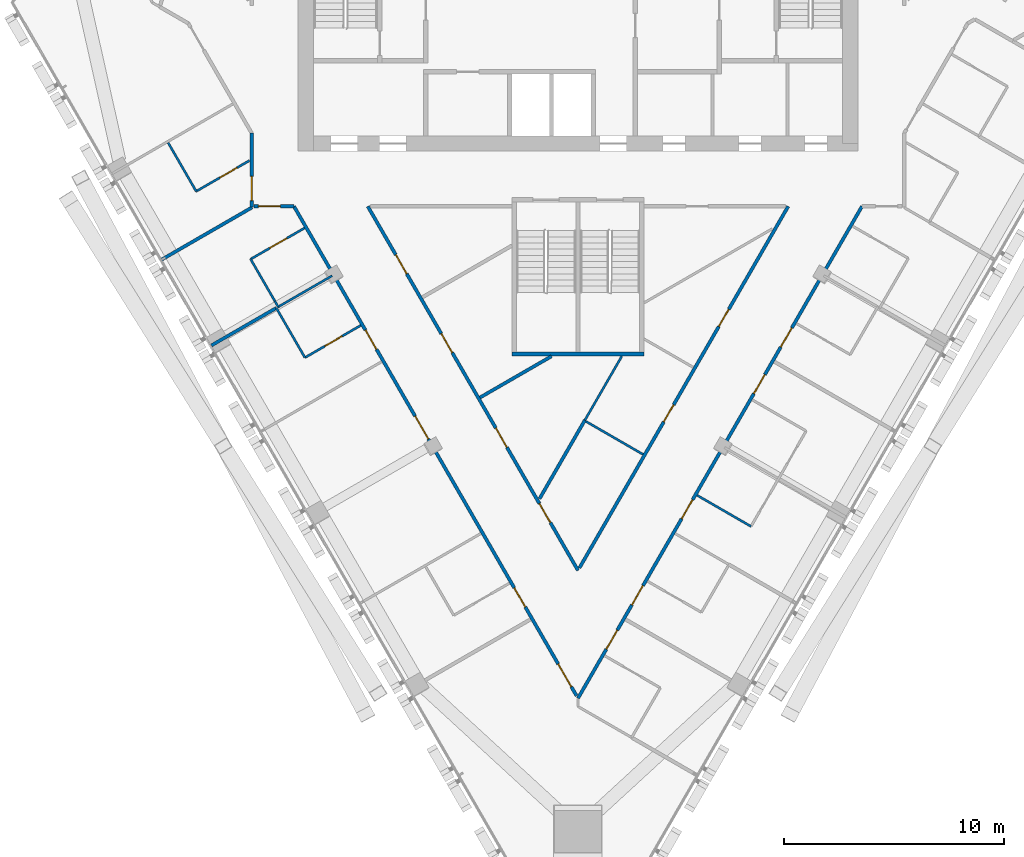
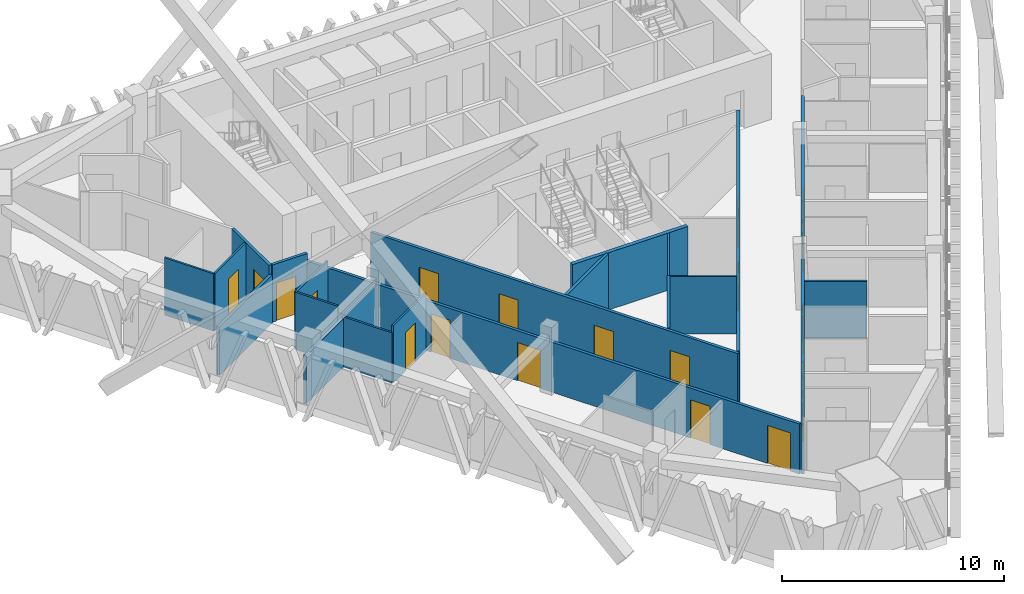
# One storey, part 10 of 17: 22 walls, 20 doors, 20 openings.
"""IFC4 building model written with IfcOpenShell, lengths in metres."""

from ifc_helpers import new_model, si_unit, direction, frame, frame_2d, origin, place, context, subcontext, project, spatial, rectangle, extrude, material, layer, layer_set, type_object, element, fill, save


model = new_model("IFC4")

# Units and contexts
model_context = context("Model", 3, precision=1e-05, world=origin(), true_north=direction((0.0, 1.0)))
body_context = subcontext(model_context, "Body", "Model", "MODEL_VIEW")
ifc_project = project(units=[si_unit("LENGTHUNIT", "METRE"), si_unit("AREAUNIT", "SQUARE_METRE"), si_unit("VOLUMEUNIT", "CUBIC_METRE"), si_unit("PLANEANGLEUNIT", "RADIAN"), si_unit("MASSUNIT", "GRAM", prefix="KILO")], contexts=[model_context])

# Site, building, storey
site_placement = place(None, origin())
site = spatial("IfcSite", under=ifc_project, at=site_placement, CompositionType="ELEMENT")
building_placement = place(site_placement, origin())
building = spatial("IfcBuilding", under=site, at=building_placement, Name="Altiplano Prism Tower", CompositionType="ELEMENT")
storey_placement = place(building_placement, frame((0.0, 0.0, 194.39990234375)))
storey = spatial("IfcBuildingStorey", under=building, at=storey_placement, Name="L50", CompositionType="ELEMENT", Elevation=194.39990234375)

# Wall, opening, door
ifc_material_1 = material(Name="Plasterboard on steel stud", Category="steel")
ifc_layer_1 = layer(ifc_material_1, 0.10009765625)
ifc_layer_set_1 = layer_set([ifc_layer_1], Name="Plasterboard on steel stud")
wall_type_1 = type_object("IfcWallType", Name="Partition 100 unit", PredefinedType="PARTITIONING", material=ifc_layer_set_1)
wall_1_placement = place(storey_placement, frame((70.10009765625, 92.278564453125, 0.0), z_axis=(0.0, 0.0, 1.0), x_axis=(-0.866040030748, -0.499974664501, 0.0)))
wall_1 = element("IfcWall", 1, at=wall_1_placement, inside=storey, type_object=wall_type_1, Name="Partition P02 L50 040", PredefinedType="PARTITIONING", context=body_context, shape_type="SweptSolid", body=[
    extrude(rectangle(XDim=2.793212890625, YDim=0.10009765625, at=frame_2d((1.396484375, 0.0))), origin(), (0.0, 0.0, 1.0), 3.150146484375),
])
opening_1_placement = place(wall_1_placement, frame((0.64697265625, 0.0, 0.0)))
opening_1 = element("IfcOpeningElement", 2, at=opening_1_placement, cuts=wall_1, Name="Opening D1743", PredefinedType="OPENING", context=body_context, shape_type="SweptSolid", body=[
    extrude(rectangle(XDim=0.89990234375, YDim=2.10009765625, at=frame_2d((0.449951171875, 1.050048828125))), frame((0.0, 0.060546875, 0.0), z_axis=(0.0, -1.0, 0.0), x_axis=(1.0, 0.0, 0.0)), (0.0, 0.0, 1.0), 0.12109375),
])
ifc_material_2 = material(Name="Timber", Category="wood")
door_type_1 = type_object("IfcDoorType", Name="Accessible ensuite door 900 x 2100", OperationType="NOTDEFINED", PredefinedType="NOTDEFINED", material=ifc_material_2)
door_1_placement = place(opening_1_placement, origin())
door_1 = element("IfcDoor", 3, at=door_1_placement, inside=storey, type_object=door_type_1, Name="Door D1743", OperationType="SINGLE_SWING_RIGHT", OverallHeight=2.10009765625, OverallWidth=0.89990234375, PredefinedType="NOTDEFINED", context=body_context, shape_type="SweptSolid", body=[
    extrude(rectangle(XDim=0.89990234375, YDim=2.10009765625, at=frame_2d((0.449951171875, 1.050048828125))), frame((0.0, 0.02490234375, 0.0), z_axis=(0.0, -1.0, 0.0), x_axis=(1.0, 0.0, 0.0)), (0.0, 0.0, 1.0), 0.050048828125),
])
fill(opening_1, door_1)

# Walls
wall_2_placement = place(storey_placement, frame((67.68115234375, 90.882080078125, 0.0), z_axis=(0.0, 0.0, 1.0), x_axis=(-0.500062241894, 0.865989465428, 0.0)))
element("IfcWall", 4, at=wall_2_placement, inside=storey, type_object=wall_type_1, Name="Partition P02 L50 041", PredefinedType="PARTITIONING", context=body_context, shape_type="SweptSolid", body=[
    extrude(rectangle(XDim=2.550048828125, YDim=0.10009765625, at=frame_2d((1.27490234375, 0.0))), origin(), (0.0, 0.0, 1.0), 3.150146484375),
])
wall_3_placement = place(storey_placement, frame((71.400634765625, 85.639404296875, 0.0), z_axis=(0.0, 0.0, 1.0), x_axis=(-0.499464218792, 0.866334516308, 0.0)))
element("IfcWall", 5, at=wall_3_placement, inside=storey, type_object=wall_type_1, Name="Partition P02 L50 043", PredefinedType="PARTITIONING", context=body_context, shape_type="SweptSolid", body=[
    extrude(rectangle(XDim=0.300048828125, YDim=0.10009765625, at=frame_2d((0.14990234375, 0.0))), origin(), (0.0, 0.0, 1.0), 2.75),
])
wall_4_placement = place(storey_placement, frame((71.250732421875, 85.8994140625, 0.0), z_axis=(0.0, 0.0, 1.0), x_axis=(-0.50002983664, 0.866008176907, 0.0)))
element("IfcWall", 6, at=wall_4_placement, inside=storey, type_object=wall_type_1, Name="Partition P02 L50 044", PredefinedType="PARTITIONING", context=body_context, shape_type="SweptSolid", body=[
    extrude(rectangle(XDim=2.199951171875, YDim=0.10009765625, at=frame_2d((1.10009765625, 0.0))), origin(), (0.0, 0.0, 1.0), 3.150146484375),
])

# Wall, opening, door
wall_5_placement = place(storey_placement, frame((70.150634765625, 87.8046875, 0.0), z_axis=(0.0, 0.0, 1.0), x_axis=(0.866048868473, 0.499959355765, 0.0)))
wall_5 = element("IfcWall", 7, at=wall_5_placement, inside=storey, type_object=wall_type_1, Name="Partition P02 L50 045", PredefinedType="PARTITIONING", context=body_context, shape_type="SweptSolid", body=[
    extrude(rectangle(XDim=2.824951171875, YDim=0.10009765625, at=frame_2d((1.41259765625, 0.0))), origin(), (0.0, 0.0, 1.0), 3.150146484375),
])
opening_2_placement = place(wall_5_placement, frame((1.0, 0.0, 0.0)))
opening_2 = element("IfcOpeningElement", 8, at=opening_2_placement, cuts=wall_5, Name="Opening D1745", PredefinedType="OPENING", context=body_context, shape_type="SweptSolid", body=[
    extrude(rectangle(XDim=0.89990234375, YDim=2.10009765625, at=frame_2d((0.449951171875, 1.050048828125))), frame((0.0, 0.060546875, 0.0), z_axis=(0.0, -1.0, 0.0), x_axis=(1.0, 0.0, 0.0)), (0.0, 0.0, 1.0), 0.12109375),
])
door_type_2 = type_object("IfcDoorType", Name="Ensuite door 900 x 2100", OperationType="NOTDEFINED", PredefinedType="NOTDEFINED", material=ifc_material_2)
door_2_placement = place(opening_2_placement, origin())
door_2 = element("IfcDoor", 9, at=door_2_placement, inside=storey, type_object=door_type_2, Name="Door D1745", OperationType="SINGLE_SWING_RIGHT", OverallHeight=2.10009765625, OverallWidth=0.89990234375, PredefinedType="NOTDEFINED", context=body_context, shape_type="SweptSolid", body=[
    extrude(rectangle(XDim=0.89990234375, YDim=2.10009765625, at=frame_2d((0.449951171875, 1.050048828125))), frame((0.0, 0.02490234375, 0.0), z_axis=(0.0, -1.0, 0.0), x_axis=(1.0, 0.0, 0.0)), (0.0, 0.0, 1.0), 0.050048828125),
])
fill(opening_2, door_2)

wall_6_placement = place(storey_placement, frame((75.147216796875, 84.80029296875, 0.0), z_axis=(0.0, 0.0, 1.0), x_axis=(-0.866046596414, -0.499963291492, 0.0)))
wall_6 = element("IfcWall", 10, at=wall_6_placement, inside=storey, type_object=wall_type_1, Name="Partition P02 L50 048", PredefinedType="PARTITIONING", context=body_context, shape_type="SweptSolid", body=[
    extrude(rectangle(XDim=2.925048828125, YDim=0.10009765625, at=frame_2d((1.46240234375, 0.0))), origin(), (0.0, 0.0, 1.0), 3.150146484375),
])
opening_3_placement = place(wall_6_placement, frame((0.97509765625, 0.0, 0.0)))
opening_3 = element("IfcOpeningElement", 11, at=opening_3_placement, cuts=wall_6, Name="Opening D1747", PredefinedType="OPENING", context=body_context, shape_type="SweptSolid", body=[
    extrude(rectangle(XDim=0.89990234375, YDim=2.10009765625, at=frame_2d((0.449951171875, 1.050048828125))), frame((0.0, 0.060546875, 0.0), z_axis=(0.0, -1.0, 0.0), x_axis=(1.0, 0.0, 0.0)), (0.0, 0.0, 1.0), 0.12109375),
])
door_3_placement = place(opening_3_placement, origin())
door_3 = element("IfcDoor", 12, at=door_3_placement, inside=storey, type_object=door_type_2, Name="Door D1747", OperationType="SINGLE_SWING_LEFT", OverallHeight=2.10009765625, OverallWidth=0.89990234375, PredefinedType="NOTDEFINED", context=body_context, shape_type="SweptSolid", body=[
    extrude(rectangle(XDim=0.89990234375, YDim=2.10009765625, at=frame_2d((0.449951171875, 1.050048828125))), frame((0.0, 0.02490234375, 0.0), z_axis=(0.0, -1.0, 0.0), x_axis=(1.0, 0.0, 0.0)), (0.0, 0.0, 1.0), 0.050048828125),
])
fill(opening_3, door_3)

# Walls
wall_7_placement = place(storey_placement, frame((72.614013671875, 83.337890625, 0.0), z_axis=(0.0, 0.0, 1.0), x_axis=(-0.500006934395, 0.866021400173, 0.0)))
element("IfcWall", 13, at=wall_7_placement, inside=storey, type_object=wall_type_1, Name="Partition P02 L50 049", PredefinedType="PARTITIONING", context=body_context, shape_type="SweptSolid", body=[
    extrude(rectangle(XDim=2.60009765625, YDim=0.10009765625, at=frame_2d((1.300048828125, 0.0))), origin(), (0.0, 0.0, 1.0), 2.75),
])
wall_8_placement = place(storey_placement, frame((92.849365234375, 75.68017578125, 0.0), z_axis=(0.0, 0.0, 1.0), x_axis=(-0.866011447264, 0.500024172624, 0.0)))
element("IfcWall", 14, at=wall_8_placement, inside=storey, type_object=wall_type_1, Name="Partition P02 L50 065", PredefinedType="PARTITIONING", context=body_context, shape_type="SweptSolid", body=[
    extrude(rectangle(XDim=2.824951171875, YDim=0.10009765625, at=frame_2d((1.41259765625, 0.0))), origin(), (0.0, 0.0, 1.0), 3.150146484375),
])
ifc_layer_2 = layer(ifc_material_1, 0.10009765625)
ifc_layer_set_2 = layer_set([ifc_layer_2], Name="Plasterboard on steel stud")
wall_type_2 = type_object("IfcWallType", Name="Partition 100 wet", PredefinedType="PARTITIONING", material=ifc_layer_set_2)
wall_9_placement = place(storey_placement, frame((85.365234375, 80.440673828125, 0.0), z_axis=(0.0, 0.0, 1.0), x_axis=(0.866005890814, -0.500033795933, 0.0)))
element("IfcWall", 15, at=wall_9_placement, inside=storey, type_object=wall_type_2, Name="Partition P03 L50 033", PredefinedType="PARTITIONING", context=body_context, shape_type="SweptSolid", body=[
    extrude(rectangle(XDim=2.986572265625, YDim=0.10009765625, at=frame_2d((1.4931640625, 0.0))), origin(), (0.0, 0.0, 1.0), 3.150146484375),
])
wall_10_placement = place(storey_placement, frame((86.9873046875, 83.39990234375, 0.0), z_axis=(0.0, 0.0, 1.0), x_axis=(-0.500014404596, -0.866017087127, 0.0)))
element("IfcWall", 16, at=wall_10_placement, inside=storey, type_object=wall_type_2, Name="Partition P03 L50 034", PredefinedType="PARTITIONING", context=body_context, shape_type="SweptSolid", body=[
    extrude(rectangle(XDim=3.35400390625, YDim=0.10009765625, at=frame_2d((1.677001953125, 0.0))), origin(), (0.0, 0.0, 1.0), 3.150146484375),
])
wall_11_placement = place(storey_placement, frame((71.38330078125, 85.62939453125, 0.0), z_axis=(0.0, 0.0, 1.0), x_axis=(0.866011243319, 0.500024525844, 0.0)))
element("IfcWall", 17, at=wall_11_placement, inside=storey, type_object=wall_type_2, Name="Partition P03 L50 047", PredefinedType="PARTITIONING", context=body_context, shape_type="SweptSolid", body=[
    extrude(rectangle(XDim=2.844970703125, YDim=0.10009765625, at=frame_2d((1.42236328125, 0.0))), origin(), (0.0, 0.0, 1.0), 2.75),
])

# Wall, openings, doors
ifc_layer_3 = layer(ifc_material_1, 0.14990234375)
ifc_layer_set_3 = layer_set([ifc_layer_3], Name="Plasterboard on steel stud")
wall_type_3 = type_object("IfcWallType", Name="Partition 150 corridor", PredefinedType="PARTITIONING", material=ifc_layer_set_3)
wall_12_placement = place(storey_placement, frame((94.53515625, 90.199951171875, 0.0), z_axis=(0.0, 0.0, 1.0), x_axis=(-0.500006981563, -0.86602137294, 0.0)))
wall_12 = element("IfcWall", 18, at=wall_12_placement, inside=storey, type_object=wall_type_3, Name="Partition P06 L50 001", PredefinedType="PARTITIONING", context=body_context, shape_type="SweptSolid", body=[
    extrude(rectangle(XDim=18.940185546875, YDim=0.14990234375, at=frame_2d((9.47021484375, 0.0))), origin(), (0.0, 0.0, 1.0), 3.150146484375),
])
opening_4_placement = place(wall_12_placement, frame((10.39599609375, 0.0, 0.0)))
opening_4 = element("IfcOpeningElement", 19, at=opening_4_placement, cuts=wall_12, Name="Opening D1737", PredefinedType="OPENING", context=body_context, shape_type="SweptSolid", body=[
    extrude(rectangle(XDim=0.89990234375, YDim=2.10009765625, at=frame_2d((0.449951171875, 1.050048828125))), frame((0.0, 0.08544921875, 0.0), z_axis=(0.0, -1.0, 0.0), x_axis=(1.0, 0.0, 0.0)), (0.0, 0.0, 1.0), 0.1708984375),
])
opening_5_placement = place(wall_12_placement, frame((5.39306640625, 0.0, 0.0)))
opening_5 = element("IfcOpeningElement", 20, at=opening_5_placement, cuts=wall_12, Name="Opening D1738", PredefinedType="OPENING", context=body_context, shape_type="SweptSolid", body=[
    extrude(rectangle(XDim=0.89990234375, YDim=2.10009765625, at=frame_2d((0.449951171875, 1.050048828125))), frame((0.0, 0.08544921875, 0.0), z_axis=(0.0, -1.0, 0.0), x_axis=(1.0, 0.0, 0.0)), (0.0, 0.0, 1.0), 0.1708984375),
])
door_type_3 = type_object("IfcDoorType", Name="Toilet door 900 x 2100", OperationType="NOTDEFINED", PredefinedType="NOTDEFINED", material=ifc_material_2)
door_4_placement = place(opening_4_placement, origin())
door_4 = element("IfcDoor", 21, at=door_4_placement, inside=storey, type_object=door_type_3, Name="Door D1737", OperationType="SINGLE_SWING_RIGHT", OverallHeight=2.10009765625, OverallWidth=0.89990234375, PredefinedType="NOTDEFINED", context=body_context, shape_type="SweptSolid", body=[
    extrude(rectangle(XDim=0.89990234375, YDim=2.10009765625, at=frame_2d((0.449951171875, 1.050048828125))), frame((0.0, 0.02490234375, 0.0), z_axis=(0.0, -1.0, 0.0), x_axis=(1.0, 0.0, 0.0)), (0.0, 0.0, 1.0), 0.050048828125),
])
fill(opening_4, door_4)
door_5_placement = place(opening_5_placement, origin())
door_5 = element("IfcDoor", 22, at=door_5_placement, inside=storey, type_object=door_type_3, Name="Door D1738", OperationType="SINGLE_SWING_RIGHT", OverallHeight=2.10009765625, OverallWidth=0.89990234375, PredefinedType="NOTDEFINED", context=body_context, shape_type="SweptSolid", body=[
    extrude(rectangle(XDim=0.89990234375, YDim=2.10009765625, at=frame_2d((0.449951171875, 1.050048828125))), frame((0.0, 0.02490234375, 0.0), z_axis=(0.0, -1.0, 0.0), x_axis=(1.0, 0.0, 0.0)), (0.0, 0.0, 1.0), 0.050048828125),
])
fill(opening_5, door_5)

# Wall, opening, door
wall_13_placement = place(storey_placement, frame((70.199951171875, 93.51904296875, 0.0), z_axis=(0.0, 0.0, 1.0), x_axis=(0.0, -1.0, 0.0)))
wall_13 = element("IfcWall", 23, at=wall_13_placement, inside=storey, type_object=wall_type_3, Name="Partition P06 L50 005", PredefinedType="PARTITIONING", context=body_context, shape_type="SweptSolid", body=[
    extrude(rectangle(XDim=3.339111328125, YDim=0.14990234375, at=frame_2d((1.66943359375, 0.0))), origin(), (0.0, 0.0, 1.0), 3.150146484375),
])
opening_6_placement = place(wall_13_placement, frame((1.9619140625, 0.0, 0.0)))
opening_6 = element("IfcOpeningElement", 24, at=opening_6_placement, cuts=wall_13, Name="Opening D1742", PredefinedType="OPENING", context=body_context, shape_type="SweptSolid", body=[
    extrude(rectangle(XDim=1.10009765625, YDim=2.10009765625, at=frame_2d((0.550048828125, 1.050048828125))), frame((0.0, 0.08544921875, 0.0), z_axis=(0.0, -1.0, 0.0), x_axis=(1.0, 0.0, 0.0)), (0.0, 0.0, 1.0), 0.1708984375),
])
door_type_4 = type_object("IfcDoorType", Name="Accessible bedroom door 1100 x 2100", OperationType="NOTDEFINED", PredefinedType="NOTDEFINED", material=ifc_material_2)
door_6_placement = place(opening_6_placement, origin())
door_6 = element("IfcDoor", 25, at=door_6_placement, inside=storey, type_object=door_type_4, Name="Door D1742", OperationType="SINGLE_SWING_RIGHT", OverallHeight=2.10009765625, OverallWidth=1.10009765625, PredefinedType="NOTDEFINED", context=body_context, shape_type="SweptSolid", body=[
    extrude(rectangle(XDim=1.10009765625, YDim=2.10009765625, at=frame_2d((0.550048828125, 1.050048828125))), frame((0.0, 0.02490234375, 0.0), z_axis=(0.0, -1.0, 0.0), x_axis=(1.0, 0.0, 0.0)), (0.0, 0.0, 1.0), 0.050048828125),
])
fill(opening_6, door_6)

wall_14_placement = place(storey_placement, frame((70.299560546875, 90.199951171875, 0.0), z_axis=(0.0, 0.0, 1.0), x_axis=(1.0, 0.0, 0.0)))
wall_14 = element("IfcWall", 26, at=wall_14_placement, inside=storey, type_object=wall_type_3, Name="Partition P06 L50 006", PredefinedType="PARTITIONING", context=body_context, shape_type="SweptSolid", body=[
    extrude(rectangle(XDim=1.816650390625, YDim=0.14990234375, at=frame_2d((0.908203125, 0.0))), origin(), (0.0, 0.0, 1.0), 3.150146484375),
])
opening_7_placement = place(wall_14_placement, frame((0.199951171875, 0.0, 0.0)))
opening_7 = element("IfcOpeningElement", 27, at=opening_7_placement, cuts=wall_14, Name="Opening D1744", PredefinedType="OPENING", context=body_context, shape_type="SweptSolid", body=[
    extrude(rectangle(XDim=1.0, YDim=2.10009765625, at=frame_2d((0.5, 1.050048828125))), frame((0.0, 0.08544921875, 0.0), z_axis=(0.0, -1.0, 0.0), x_axis=(1.0, 0.0, 0.0)), (0.0, 0.0, 1.0), 0.1708984375),
])
door_type_5 = type_object("IfcDoorType", Name="Bedroom entrance door 1000 x 2100", OperationType="NOTDEFINED", PredefinedType="NOTDEFINED", material=ifc_material_2)
door_7_placement = place(opening_7_placement, origin())
door_7 = element("IfcDoor", 28, at=door_7_placement, inside=storey, type_object=door_type_5, Name="Door D1744", OperationType="SINGLE_SWING_LEFT", OverallHeight=2.10009765625, OverallWidth=1.0, PredefinedType="NOTDEFINED", context=body_context, shape_type="SweptSolid", body=[
    extrude(rectangle(XDim=1.0, YDim=2.10009765625, at=frame_2d((0.5, 1.050048828125))), frame((0.0, 0.02490234375, 0.0), z_axis=(0.0, -1.0, 0.0), x_axis=(1.0, 0.0, 0.0)), (0.0, 0.0, 1.0), 0.050048828125),
])
fill(opening_7, door_7)

# Wall, openings, doors
wall_15_placement = place(storey_placement, frame((72.1162109375, 90.199951171875, 0.0), z_axis=(0.0, 0.0, 1.0), x_axis=(0.500004369671, -0.866022880939, 0.0)))
wall_15 = element("IfcWall", 29, at=wall_15_placement, inside=storey, type_object=wall_type_3, Name="Partition P06 L50 007", PredefinedType="PARTITIONING", context=body_context, shape_type="SweptSolid", body=[
    extrude(rectangle(XDim=25.637451171875, YDim=0.14990234375, at=frame_2d((12.81884765625, 0.0))), origin(), (0.0, 0.0, 1.0), 2.75),
])
opening_8_placement = place(wall_15_placement, frame((6.487060546875, 0.0, 0.0)))
opening_8 = element("IfcOpeningElement", 30, at=opening_8_placement, cuts=wall_15, Name="Opening D1746", PredefinedType="OPENING", context=body_context, shape_type="SweptSolid", body=[
    extrude(rectangle(XDim=1.0, YDim=2.10009765625, at=frame_2d((0.5, 1.050048828125))), frame((0.0, 0.08544921875, 0.0), z_axis=(0.0, -1.0, 0.0), x_axis=(1.0, 0.0, 0.0)), (0.0, 0.0, 1.0), 0.1708984375),
])
opening_9_placement = place(wall_15_placement, frame((10.991943359375, 0.0, 0.0)))
opening_9 = element("IfcOpeningElement", 31, at=opening_9_placement, cuts=wall_15, Name="Opening D1748", PredefinedType="OPENING", context=body_context, shape_type="SweptSolid", body=[
    extrude(rectangle(XDim=1.199951171875, YDim=2.10009765625, at=frame_2d((0.60009765625, 1.050048828125))), frame((0.0, 0.08544921875, 0.0), z_axis=(0.0, -1.0, 0.0), x_axis=(1.0, 0.0, 0.0)), (0.0, 0.0, 1.0), 0.1708984375),
])
opening_10_placement = place(wall_15_placement, frame((19.987060546875, 0.0, 0.0)))
opening_10 = element("IfcOpeningElement", 32, at=opening_10_placement, cuts=wall_15, Name="Opening D1749", PredefinedType="OPENING", context=body_context, shape_type="SweptSolid", body=[
    extrude(rectangle(XDim=1.0, YDim=2.10009765625, at=frame_2d((0.5, 1.050048828125))), frame((0.0, 0.08544921875, 0.0), z_axis=(0.0, -1.0, 0.0), x_axis=(1.0, 0.0, 0.0)), (0.0, 0.0, 1.0), 0.1708984375),
])
opening_11_placement = place(wall_15_placement, frame((23.969970703125, 0.0, 0.0)))
opening_11 = element("IfcOpeningElement", 33, at=opening_11_placement, cuts=wall_15, Name="Opening D1751", PredefinedType="OPENING", context=body_context, shape_type="SweptSolid", body=[
    extrude(rectangle(XDim=1.199951171875, YDim=2.10009765625, at=frame_2d((0.60009765625, 1.050048828125))), frame((0.0, 0.08544921875, 0.0), z_axis=(0.0, -1.0, 0.0), x_axis=(1.0, 0.0, 0.0)), (0.0, 0.0, 1.0), 0.1708984375),
])
door_8_placement = place(opening_8_placement, origin())
door_8 = element("IfcDoor", 34, at=door_8_placement, inside=storey, type_object=door_type_5, Name="Door D1746", OperationType="SINGLE_SWING_LEFT", OverallHeight=2.10009765625, OverallWidth=1.0, PredefinedType="NOTDEFINED", context=body_context, shape_type="SweptSolid", body=[
    extrude(rectangle(XDim=1.0, YDim=2.10009765625, at=frame_2d((0.5, 1.050048828125))), frame((0.0, 0.02490234375, 0.0), z_axis=(0.0, -1.0, 0.0), x_axis=(1.0, 0.0, 0.0)), (0.0, 0.0, 1.0), 0.050048828125),
])
fill(opening_8, door_8)
door_9_placement = place(opening_10_placement, origin())
door_9 = element("IfcDoor", 35, at=door_9_placement, inside=storey, type_object=door_type_5, Name="Door D1749", OperationType="SINGLE_SWING_LEFT", OverallHeight=2.10009765625, OverallWidth=1.0, PredefinedType="NOTDEFINED", context=body_context, shape_type="SweptSolid", body=[
    extrude(rectangle(XDim=1.0, YDim=2.10009765625, at=frame_2d((0.5, 1.050048828125))), frame((0.0, 0.02490234375, 0.0), z_axis=(0.0, -1.0, 0.0), x_axis=(1.0, 0.0, 0.0)), (0.0, 0.0, 1.0), 0.050048828125),
])
fill(opening_10, door_9)
door_type_6 = type_object("IfcDoorType", Name="Shared room door 1200 x 2100", OperationType="NOTDEFINED", PredefinedType="NOTDEFINED", material=ifc_material_2)
door_10_placement = place(opening_9_placement, origin())
door_10 = element("IfcDoor", 36, at=door_10_placement, inside=storey, type_object=door_type_6, Name="Door D1748", OperationType="SINGLE_SWING_LEFT", OverallHeight=2.10009765625, OverallWidth=1.199951171875, PredefinedType="NOTDEFINED", context=body_context, shape_type="SweptSolid", body=[
    extrude(rectangle(XDim=1.199951171875, YDim=2.10009765625, at=frame_2d((0.60009765625, 1.050048828125))), frame((0.0, 0.02490234375, 0.0), z_axis=(0.0, -1.0, 0.0), x_axis=(1.0, 0.0, 0.0)), (0.0, 0.0, 1.0), 0.050048828125),
])
fill(opening_9, door_10)
door_11_placement = place(opening_11_placement, origin())
door_11 = element("IfcDoor", 37, at=door_11_placement, inside=storey, type_object=door_type_6, Name="Door D1751", OperationType="SINGLE_SWING_LEFT", OverallHeight=2.10009765625, OverallWidth=1.199951171875, PredefinedType="NOTDEFINED", context=body_context, shape_type="SweptSolid", body=[
    extrude(rectangle(XDim=1.199951171875, YDim=2.10009765625, at=frame_2d((0.60009765625, 1.050048828125))), frame((0.0, 0.02490234375, 0.0), z_axis=(0.0, -1.0, 0.0), x_axis=(1.0, 0.0, 0.0)), (0.0, 0.0, 1.0), 0.050048828125),
])
fill(opening_11, door_11)

wall_16_placement = place(storey_placement, frame((85.0, 67.884765625, 0.0), z_axis=(0.0, 0.0, 1.0), x_axis=(0.500003221507, 0.866023543838, 0.0)))
wall_16 = element("IfcWall", 38, at=wall_16_placement, inside=storey, type_object=wall_type_3, Name="Partition P06 L50 008", PredefinedType="PARTITIONING", context=body_context, shape_type="SweptSolid", body=[
    extrude(rectangle(XDim=25.767333984375, YDim=0.14990234375, at=frame_2d((12.8837890625, 0.0))), origin(), (0.0, 0.0, 1.0), 2.75),
])
opening_12_placement = place(wall_16_placement, frame((2.571044921875, 0.0, 0.0)))
opening_12 = element("IfcOpeningElement", 39, at=opening_12_placement, cuts=wall_16, Name="Opening D1752", PredefinedType="OPENING", context=body_context, shape_type="SweptSolid", body=[
    extrude(rectangle(XDim=1.0, YDim=2.10009765625, at=frame_2d((0.5, 1.050048828125))), frame((0.0, 0.08544921875, 0.0), z_axis=(0.0, -1.0, 0.0), x_axis=(1.0, 0.0, 0.0)), (0.0, 0.0, 1.0), 0.1708984375),
])
opening_13_placement = place(wall_16_placement, frame((4.89599609375, 0.0, 0.0)))
opening_13 = element("IfcOpeningElement", 40, at=opening_13_placement, cuts=wall_16, Name="Opening D1754", PredefinedType="OPENING", context=body_context, shape_type="SweptSolid", body=[
    extrude(rectangle(XDim=1.0, YDim=2.10009765625, at=frame_2d((0.5, 1.050048828125))), frame((0.0, 0.08544921875, 0.0), z_axis=(0.0, -1.0, 0.0), x_axis=(1.0, 0.0, 0.0)), (0.0, 0.0, 1.0), 0.1708984375),
])
opening_14_placement = place(wall_16_placement, frame((9.39599609375, 0.0, 0.0)))
opening_14 = element("IfcOpeningElement", 41, at=opening_14_placement, cuts=wall_16, Name="Opening D1756", PredefinedType="OPENING", context=body_context, shape_type="SweptSolid", body=[
    extrude(rectangle(XDim=1.0, YDim=2.10009765625, at=frame_2d((0.5, 1.050048828125))), frame((0.0, 0.08544921875, 0.0), z_axis=(0.0, -1.0, 0.0), x_axis=(1.0, 0.0, 0.0)), (0.0, 0.0, 1.0), 0.1708984375),
])
opening_15_placement = place(wall_16_placement, frame((15.955078125, 0.0, 0.0)))
opening_15 = element("IfcOpeningElement", 42, at=opening_15_placement, cuts=wall_16, Name="Opening D1758", PredefinedType="OPENING", context=body_context, shape_type="SweptSolid", body=[
    extrude(rectangle(XDim=1.0, YDim=2.10009765625, at=frame_2d((0.5, 1.050048828125))), frame((0.0, 0.08544921875, 0.0), z_axis=(0.0, -1.0, 0.0), x_axis=(1.0, 0.0, 0.0)), (0.0, 0.0, 1.0), 0.1708984375),
])
opening_16_placement = place(wall_16_placement, frame((18.39599609375, 0.0, 0.0)))
opening_16 = element("IfcOpeningElement", 43, at=opening_16_placement, cuts=wall_16, Name="Opening D1760", PredefinedType="OPENING", context=body_context, shape_type="SweptSolid", body=[
    extrude(rectangle(XDim=1.0, YDim=2.10009765625, at=frame_2d((0.5, 1.050048828125))), frame((0.0, 0.08544921875, 0.0), z_axis=(0.0, -1.0, 0.0), x_axis=(1.0, 0.0, 0.0)), (0.0, 0.0, 1.0), 0.1708984375),
])
door_12_placement = place(opening_12_placement, origin())
door_12 = element("IfcDoor", 44, at=door_12_placement, inside=storey, type_object=door_type_5, Name="Door D1752", OperationType="SINGLE_SWING_LEFT", OverallHeight=2.10009765625, OverallWidth=1.0, PredefinedType="NOTDEFINED", context=body_context, shape_type="SweptSolid", body=[
    extrude(rectangle(XDim=1.0, YDim=2.10009765625, at=frame_2d((0.5, 1.050048828125))), frame((0.0, 0.02490234375, 0.0), z_axis=(0.0, -1.0, 0.0), x_axis=(1.0, 0.0, 0.0)), (0.0, 0.0, 1.0), 0.050048828125),
])
fill(opening_12, door_12)
door_13_placement = place(opening_13_placement, origin())
door_13 = element("IfcDoor", 45, at=door_13_placement, inside=storey, type_object=door_type_5, Name="Door D1754", OperationType="SINGLE_SWING_LEFT", OverallHeight=2.10009765625, OverallWidth=1.0, PredefinedType="NOTDEFINED", context=body_context, shape_type="SweptSolid", body=[
    extrude(rectangle(XDim=1.0, YDim=2.10009765625, at=frame_2d((0.5, 1.050048828125))), frame((0.0, 0.02490234375, 0.0), z_axis=(0.0, -1.0, 0.0), x_axis=(1.0, 0.0, 0.0)), (0.0, 0.0, 1.0), 0.050048828125),
])
fill(opening_13, door_13)
door_14_placement = place(opening_14_placement, origin())
door_14 = element("IfcDoor", 46, at=door_14_placement, inside=storey, type_object=door_type_5, Name="Door D1756", OperationType="SINGLE_SWING_RIGHT", OverallHeight=2.10009765625, OverallWidth=1.0, PredefinedType="NOTDEFINED", context=body_context, shape_type="SweptSolid", body=[
    extrude(rectangle(XDim=1.0, YDim=2.10009765625, at=frame_2d((0.5, 1.050048828125))), frame((0.0, 0.02490234375, 0.0), z_axis=(0.0, -1.0, 0.0), x_axis=(1.0, 0.0, 0.0)), (0.0, 0.0, 1.0), 0.050048828125),
])
fill(opening_14, door_14)
door_15_placement = place(opening_15_placement, origin())
door_15 = element("IfcDoor", 47, at=door_15_placement, inside=storey, type_object=door_type_5, Name="Door D1758", OperationType="SINGLE_SWING_RIGHT", OverallHeight=2.10009765625, OverallWidth=1.0, PredefinedType="NOTDEFINED", context=body_context, shape_type="SweptSolid", body=[
    extrude(rectangle(XDim=1.0, YDim=2.10009765625, at=frame_2d((0.5, 1.050048828125))), frame((0.0, 0.02490234375, 0.0), z_axis=(0.0, -1.0, 0.0), x_axis=(1.0, 0.0, 0.0)), (0.0, 0.0, 1.0), 0.050048828125),
])
fill(opening_15, door_15)
door_16_placement = place(opening_16_placement, origin())
door_16 = element("IfcDoor", 48, at=door_16_placement, inside=storey, type_object=door_type_5, Name="Door D1760", OperationType="SINGLE_SWING_LEFT", OverallHeight=2.10009765625, OverallWidth=1.0, PredefinedType="NOTDEFINED", context=body_context, shape_type="SweptSolid", body=[
    extrude(rectangle(XDim=1.0, YDim=2.10009765625, at=frame_2d((0.5, 1.050048828125))), frame((0.0, 0.02490234375, 0.0), z_axis=(0.0, -1.0, 0.0), x_axis=(1.0, 0.0, 0.0)), (0.0, 0.0, 1.0), 0.050048828125),
])
fill(opening_16, door_16)

wall_17_placement = place(storey_placement, frame((85.0, 73.684814453125, 0.0), z_axis=(0.0, 0.0, 1.0), x_axis=(-0.500005412377, 0.866022278924, 0.0)))
wall_17 = element("IfcWall", 49, at=wall_17_placement, inside=storey, type_object=wall_type_3, Name="Partition P06 L50 030", PredefinedType="PARTITIONING", context=body_context, shape_type="SweptSolid", body=[
    extrude(rectangle(XDim=19.070068359375, YDim=0.14990234375, at=frame_2d((9.53515625, 0.0))), origin(), (0.0, 0.0, 1.0), 3.150146484375),
])
opening_17_placement = place(wall_17_placement, frame((2.5, 0.0, 0.0)))
opening_17 = element("IfcOpeningElement", 50, at=opening_17_placement, cuts=wall_17, Name="Opening D1739", PredefinedType="OPENING", context=body_context, shape_type="SweptSolid", body=[
    extrude(rectangle(XDim=1.0, YDim=2.10009765625, at=frame_2d((0.5, 1.050048828125))), frame((0.0, 0.08544921875, 0.0), z_axis=(0.0, -1.0, 0.0), x_axis=(1.0, 0.0, 0.0)), (0.0, 0.0, 1.0), 0.1708984375),
])
opening_18_placement = place(wall_17_placement, frame((6.448974609375, 0.0, 0.0)))
opening_18 = element("IfcOpeningElement", 51, at=opening_18_placement, cuts=wall_17, Name="Opening D1771", PredefinedType="OPENING", context=body_context, shape_type="SweptSolid", body=[
    extrude(rectangle(XDim=1.0, YDim=2.10009765625, at=frame_2d((0.5, 1.050048828125))), frame((0.0, 0.08544921875, 0.0), z_axis=(0.0, -1.0, 0.0), x_axis=(1.0, 0.0, 0.0)), (0.0, 0.0, 1.0), 0.1708984375),
])
opening_19_placement = place(wall_17_placement, frame((11.40087890625, 0.0, 0.0)))
opening_19 = element("IfcOpeningElement", 52, at=opening_19_placement, cuts=wall_17, Name="Opening D1772", PredefinedType="OPENING", context=body_context, shape_type="SweptSolid", body=[
    extrude(rectangle(XDim=1.0, YDim=2.10009765625, at=frame_2d((0.5, 1.050048828125))), frame((0.0, 0.08544921875, 0.0), z_axis=(0.0, -1.0, 0.0), x_axis=(1.0, 0.0, 0.0)), (0.0, 0.0, 1.0), 0.1708984375),
])
opening_20_placement = place(wall_17_placement, frame((15.535888671875, 0.0, 0.0)))
opening_20 = element("IfcOpeningElement", 53, at=opening_20_placement, cuts=wall_17, Name="Opening D1773", PredefinedType="OPENING", context=body_context, shape_type="SweptSolid", body=[
    extrude(rectangle(XDim=1.0, YDim=2.10009765625, at=frame_2d((0.5, 1.050048828125))), frame((0.0, 0.08544921875, 0.0), z_axis=(0.0, -1.0, 0.0), x_axis=(1.0, 0.0, 0.0)), (0.0, 0.0, 1.0), 0.1708984375),
])
door_type_7 = type_object("IfcDoorType", Name="Room door 1000 x 2100", OperationType="NOTDEFINED", PredefinedType="NOTDEFINED", material=ifc_material_2)
door_17_placement = place(opening_18_placement, origin())
door_17 = element("IfcDoor", 54, at=door_17_placement, inside=storey, type_object=door_type_7, Name="Door D1771", OperationType="SINGLE_SWING_RIGHT", OverallHeight=2.10009765625, OverallWidth=1.0, PredefinedType="NOTDEFINED", context=body_context, shape_type="SweptSolid", body=[
    extrude(rectangle(XDim=1.0, YDim=2.10009765625, at=frame_2d((0.5, 1.050048828125))), frame((0.0, 0.02490234375, 0.0), z_axis=(0.0, -1.0, 0.0), x_axis=(1.0, 0.0, 0.0)), (0.0, 0.0, 1.0), 0.050048828125),
])
fill(opening_18, door_17)
door_18_placement = place(opening_19_placement, origin())
door_18 = element("IfcDoor", 55, at=door_18_placement, inside=storey, type_object=door_type_7, Name="Door D1772", OperationType="SINGLE_SWING_RIGHT", OverallHeight=2.10009765625, OverallWidth=1.0, PredefinedType="NOTDEFINED", context=body_context, shape_type="SweptSolid", body=[
    extrude(rectangle(XDim=1.0, YDim=2.10009765625, at=frame_2d((0.5, 1.050048828125))), frame((0.0, 0.02490234375, 0.0), z_axis=(0.0, -1.0, 0.0), x_axis=(1.0, 0.0, 0.0)), (0.0, 0.0, 1.0), 0.050048828125),
])
fill(opening_19, door_18)
door_type_8 = type_object("IfcDoorType", Name="Store door 1000 x 2100", OperationType="NOTDEFINED", PredefinedType="NOTDEFINED", material=ifc_material_2)
door_19_placement = place(opening_17_placement, origin())
door_19 = element("IfcDoor", 56, at=door_19_placement, inside=storey, type_object=door_type_8, Name="Door D1739", OperationType="SINGLE_SWING_RIGHT", OverallHeight=2.10009765625, OverallWidth=1.0, PredefinedType="NOTDEFINED", context=body_context, shape_type="SweptSolid", body=[
    extrude(rectangle(XDim=1.0, YDim=2.10009765625, at=frame_2d((0.5, 1.050048828125))), frame((0.0, 0.02490234375, 0.0), z_axis=(0.0, -1.0, 0.0), x_axis=(1.0, 0.0, 0.0)), (0.0, 0.0, 1.0), 0.050048828125),
])
fill(opening_17, door_19)
door_20_placement = place(opening_20_placement, origin())
door_20 = element("IfcDoor", 57, at=door_20_placement, inside=storey, type_object=door_type_8, Name="Door D1773", OperationType="SINGLE_SWING_RIGHT", OverallHeight=2.10009765625, OverallWidth=1.0, PredefinedType="NOTDEFINED", context=body_context, shape_type="SweptSolid", body=[
    extrude(rectangle(XDim=1.0, YDim=2.10009765625, at=frame_2d((0.5, 1.050048828125))), frame((0.0, 0.02490234375, 0.0), z_axis=(0.0, -1.0, 0.0), x_axis=(1.0, 0.0, 0.0)), (0.0, 0.0, 1.0), 0.050048828125),
])
fill(opening_20, door_20)

# Walls
ifc_layer_4 = layer(ifc_material_1, 0.14990234375)
ifc_layer_set_4 = layer_set([ifc_layer_4], Name="Plasterboard on steel stud")
wall_type_4 = type_object("IfcWallType", Name="Partition 150 party", PredefinedType="PARTITIONING", material=ifc_layer_set_4)
wall_18_placement = place(storey_placement, frame((85.310302734375, 80.495361328125, 0.0), z_axis=(0.0, 0.0, 1.0), x_axis=(-0.499982825521, -0.866035319247, 0.0)))
element("IfcWall", 58, at=wall_18_placement, inside=storey, type_object=wall_type_4, Name="Partition P01 L50 036", PredefinedType="PARTITIONING", context=body_context, shape_type="SweptSolid", body=[
    extrude(rectangle(XDim=4.112548828125, YDim=0.14990234375, at=frame_2d((2.05615234375, 0.0))), origin(), (0.0, 0.0, 1.0), 3.150146484375),
])
wall_19_placement = place(storey_placement, frame((66.10205078125, 87.776611328125, 0.0), z_axis=(0.0, 0.0, 1.0), x_axis=(0.866029116435, 0.499993569446, 0.0)))
element("IfcWall", 59, at=wall_19_placement, inside=storey, type_object=wall_type_4, Name="Partition P01 L50 042", PredefinedType="PARTITIONING", context=body_context, shape_type="SweptSolid", body=[
    extrude(rectangle(XDim=4.7548828125, YDim=0.14990234375, at=frame_2d((2.37744140625, 0.0))), origin(), (0.0, 0.0, 1.0), 2.650146484375),
])
wall_20_placement = place(storey_placement, frame((68.36962890625, 83.889404296875, 0.0), z_axis=(0.0, 0.0, 1.0), x_axis=(0.865989465428, 0.500062241894, 0.0)))
element("IfcWall", 60, at=wall_20_placement, inside=storey, type_object=wall_type_4, Name="Partition P01 L50 046", PredefinedType="PARTITIONING", context=body_context, shape_type="SweptSolid", body=[
    extrude(rectangle(XDim=3.39990234375, YDim=0.14990234375, at=frame_2d((1.699951171875, 0.0))), origin(), (0.0, 0.0, 1.0), 2.650146484375),
])
wall_21_placement = place(storey_placement, frame((83.799560546875, 83.39990234375, 0.0), z_axis=(0.0, 0.0, 1.0), x_axis=(-0.866038947515, -0.499976540837, 0.0)))
element("IfcWall", 61, at=wall_21_placement, inside=storey, type_object=wall_type_4, Name="Partition P01 L50 088", PredefinedType="PARTITIONING", context=body_context, shape_type="SweptSolid", body=[
    extrude(rectangle(XDim=3.742919921875, YDim=0.14990234375, at=frame_2d((1.87158203125, 0.0))), origin(), (0.0, 0.0, 1.0), 3.150146484375),
])
ifc_material_3 = material(Name="Concrete C60/75", Category="concrete")
ifc_layer_5 = layer(ifc_material_3, 0.199951171875)
ifc_layer_set_5 = layer_set([ifc_layer_5], Name="Concrete C60/75")
wall_type_5 = type_object("IfcWallType", Name="Stair wall 200", PredefinedType="SOLIDWALL", material=ifc_layer_set_5)
wall_22_placement = place(storey_placement, frame((82.0, 83.5, 0.0), z_axis=(0.0, 0.0, 1.0), x_axis=(1.0, 0.0, 0.0)))
element("IfcWall", 62, at=wall_22_placement, inside=storey, type_object=wall_type_5, Name="Stair 3 wall south L50", PredefinedType="SOLIDWALL", context=body_context, shape_type="SweptSolid", body=[
    extrude(rectangle(XDim=6.0, YDim=0.199951171875, at=frame_2d((3.0, 0.0))), origin(), (0.0, 0.0, 1.0), 3.150146484375),
])

save(model, "model.ifc")
